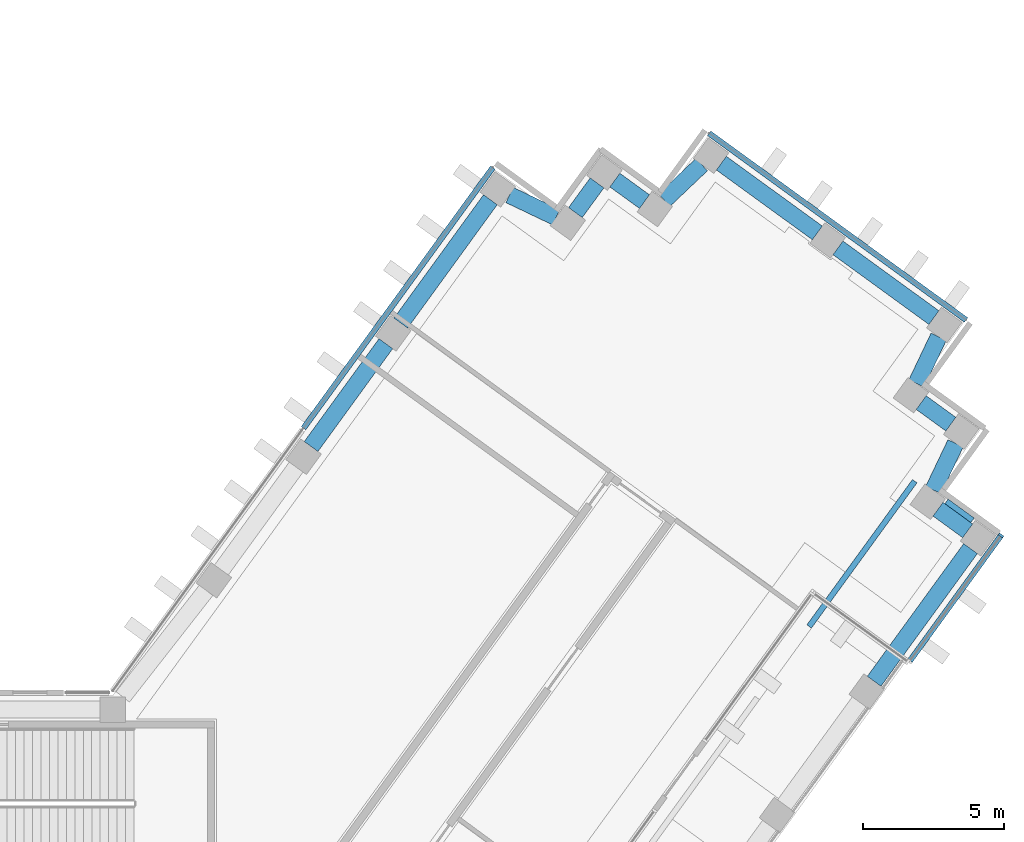
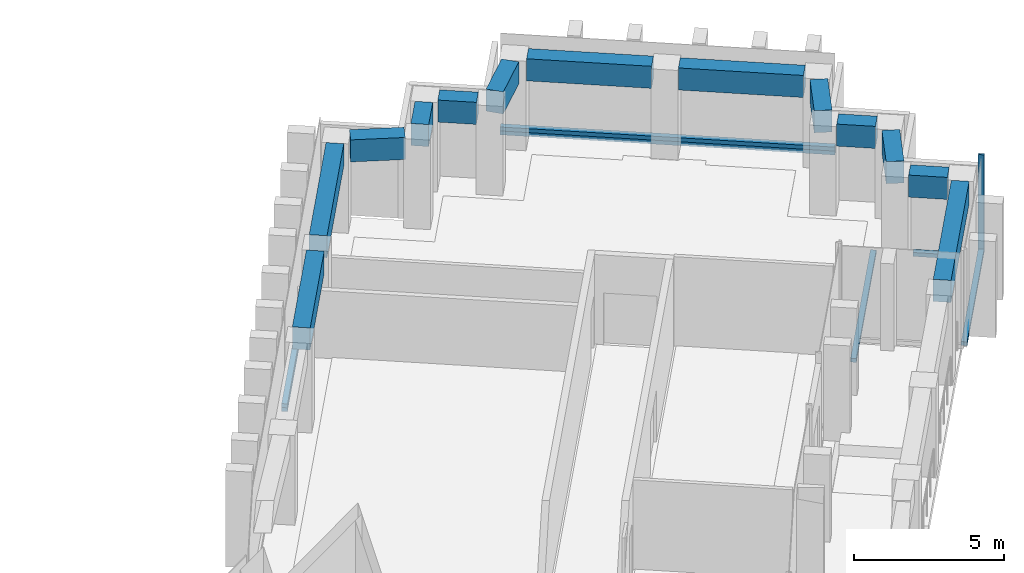
"""IFC4 building model written with IfcOpenShell, lengths in metres."""

from ifc_helpers import new_model, si_unit, direction, frame, origin, origin_2d, place, context, subcontext, project, spatial, rectangle, extrude, material, material_profile, profile_set, type_object, element, aggregate, save


model = new_model("IFC4")

# Units and contexts
model_context = context("Model", 3, precision=1e-05, world=origin(), true_north=direction((0.0, 1.0)))
body_context = subcontext(model_context, "Body", "Model", "MODEL_VIEW")
ifc_project = project(units=[si_unit("LENGTHUNIT", "METRE"), si_unit("AREAUNIT", "SQUARE_METRE"), si_unit("VOLUMEUNIT", "CUBIC_METRE"), si_unit("PLANEANGLEUNIT", "RADIAN"), si_unit("MASSUNIT", "GRAM", prefix="KILO")], contexts=[model_context])

# Site, building, storey
site_placement = place(None, origin())
site = spatial("IfcSite", under=ifc_project, at=site_placement, CompositionType="ELEMENT")
building_placement = place(site_placement, origin())
building = spatial("IfcBuilding", under=site, at=building_placement, Name="Quipu Civic Tower", CompositionType="ELEMENT")
storey_1_placement = place(building_placement, frame((0.0, 0.0, 97.0)))
storey_1 = spatial("IfcBuildingStorey", under=building, at=storey_1_placement, Name="L22", CompositionType="ELEMENT", Elevation=97.0)

# Curtain wall, member
ifc_material_1 = material(Name="Insulated glass unit", Category="glass")
curtain_wall_type = type_object("IfcCurtainWallType", Name="Office curtain wall CW1", PredefinedType="NOTDEFINED", material=ifc_material_1)
curtain_wall_1_placement = place(storey_1_placement, origin())
curtain_wall_1 = element("IfcCurtainWall", 1, at=curtain_wall_1_placement, inside=storey_1, type_object=curtain_wall_type, Name="Office curtain wall CW1 L22 run 7", PredefinedType="NOTDEFINED")
ifc_material_2 = material(Name="Anodised aluminium", Category="aluminium")
ifc_material_profile_1 = material_profile(ifc_material_2, rectangle(XDim=0.199951171875, YDim=0.080078125, at=origin_2d()), Name="RECT 200x80")
ifc_profile_set_1 = profile_set([ifc_material_profile_1], Name="Anodised aluminium")
member_type_1 = type_object("IfcMemberType", Name="Mullion CW1", PredefinedType="MULLION", material=ifc_profile_set_1)
member_1_placement = place(storey_1_placement, frame((45.825927734375, 16.661865234375, 0.080078125), z_axis=(0.0, 0.0, 1.0), x_axis=(-0.809010903145, 0.587793636059, 0.0)))
member_1 = element("IfcMember", 2, at=member_1_placement, type_object=member_type_1, Name="CW1 mullion 2", PredefinedType="MULLION", context=body_context, shape_type="SweptSolid", body=[
    extrude(rectangle(XDim=0.199951171875, YDim=0.080078125, at=origin_2d()), origin(), (0.0, 0.0, 1.0), 4.0),
])

# Beams
ifc_material_3 = material(Name="Concrete C50/60", Category="concrete")
ifc_material_profile_2 = material_profile(ifc_material_3, rectangle(XDim=0.60009765625, YDim=0.89990234375, at=origin_2d()), Name="RC600x900")
ifc_profile_set_2 = profile_set([ifc_material_profile_2], Name="Concrete C50/60")
beam_type = type_object("IfcBeamType", Name="Spandrel beam RC 600x900 C50/60", PredefinedType="SPANDREL", material=ifc_profile_set_2)
beam_1_placement = place(storey_1_placement, frame((41.3349609375, 11.50146484375, 3.199951171875), z_axis=(0.587766353983, 0.809030724463, 0.0), x_axis=(-0.809030724463, 0.587766353983, 0.0)))
element("IfcBeam", 3, at=beam_1_placement, inside=storey_1, type_object=beam_type, Name="Spandrel beam L22 E-OUT-04 to T-Eo.0-E34", PredefinedType="SPANDREL", context=body_context, shape_type="SweptSolid", body=[
    extrude(rectangle(XDim=0.60009765625, YDim=0.89990234375, at=origin_2d()), origin(), (0.0, 0.0, 1.0), 5.802734375),
])
beam_2_placement = place(storey_1_placement, frame((44.646240234375, 16.82470703125, 3.199951171875), z_axis=(-0.808524921146, 0.588461937499, 0.0), x_axis=(-0.588461937499, -0.808524921146, 0.0)))
element("IfcBeam", 4, at=beam_2_placement, inside=storey_1, type_object=beam_type, Name="Spandrel beam L22 T-Eo.0-E34 to T-Eo.1-E34", PredefinedType="SPANDREL", context=body_context, shape_type="SweptSolid", body=[
    extrude(rectangle(XDim=0.60009765625, YDim=0.89990234375, at=origin_2d()), origin(), (0.0, 0.0, 1.0), 1.30029296875),
])
beam_3_placement = place(storey_1_placement, frame((43.42822265625, 18.267578125, 3.199951171875), z_axis=(0.430677818234, 0.902505743406, 0.0), x_axis=(-0.902505743406, 0.430677818234, 0.0)))
element("IfcBeam", 5, at=beam_3_placement, inside=storey_1, type_object=beam_type, Name="Spandrel beam L22 T-Eo.1-E34 to T-Eo.2-E34", PredefinedType="SPANDREL", context=body_context, shape_type="SweptSolid", body=[
    extrude(rectangle(XDim=0.60009765625, YDim=0.89990234375, at=origin_2d()), origin(), (0.0, 0.0, 1.0), 1.833251953125),
])
beam_4_placement = place(storey_1_placement, frame((44.05078125, 20.59912109375, 3.199951171875), z_axis=(-0.809393823939, 0.587266240959, 0.0), x_axis=(-0.587266240959, -0.809393823939, 0.0)))
element("IfcBeam", 6, at=beam_4_placement, inside=storey_1, type_object=beam_type, Name="Spandrel beam L22 T-Eo.2-E34 to T-Eo.3-E34", PredefinedType="SPANDREL", context=body_context, shape_type="SweptSolid", body=[
    extrude(rectangle(XDim=0.60009765625, YDim=0.89990234375, at=origin_2d()), origin(), (0.0, 0.0, 1.0), 1.299072265625),
])
beam_5_placement = place(storey_1_placement, frame((42.83154296875, 22.03955078125, 3.199951171875), z_axis=(0.429892146977, 0.902880247856, 0.0), x_axis=(-0.902880247856, 0.429892146977, 0.0)))
element("IfcBeam", 7, at=beam_5_placement, inside=storey_1, type_object=beam_type, Name="Spandrel beam L22 T-Eo.3-E34 to T-Eo.4-E34", PredefinedType="SPANDREL", context=body_context, shape_type="SweptSolid", body=[
    extrude(rectangle(XDim=0.60009765625, YDim=0.89990234375, at=origin_2d()), origin(), (0.0, 0.0, 1.0), 1.829833984375),
])
beam_6_placement = place(storey_1_placement, frame((43.450927734375, 24.36962890625, 3.199951171875), z_axis=(-0.808987489375, 0.587825860298, 0.0), x_axis=(-0.587825860298, -0.808987489375, 0.0)))
element("IfcBeam", 8, at=beam_6_placement, inside=storey_1, type_object=beam_type, Name="Spandrel beam L22 T-Eo.4-E34 to TIP-E-01-E34", PredefinedType="SPANDREL", context=body_context, shape_type="SweptSolid", body=[
    extrude(rectangle(XDim=0.60009765625, YDim=0.89990234375, at=origin_2d()), origin(), (0.0, 0.0, 1.0), 4.1982421875),
])
beam_7_placement = place(storey_1_placement, frame((39.32666015625, 27.366455078125, 3.199951171875), z_axis=(-0.808969789945, 0.58785021813, 0.0), x_axis=(-0.58785021813, -0.808969789945, 0.0)))
element("IfcBeam", 9, at=beam_7_placement, inside=storey_1, type_object=beam_type, Name="Spandrel beam L22 TIP-E-01-E34 to T-Ei.0-E34", PredefinedType="SPANDREL", context=body_context, shape_type="SweptSolid", body=[
    extrude(rectangle(XDim=0.60009765625, YDim=0.89990234375, at=origin_2d()), origin(), (0.0, 0.0, 1.0), 4.199951171875),
])
beam_8_placement = place(storey_1_placement, frame((35.233154296875, 29.784912109375, 3.199951171875), z_axis=(-0.725209203815, -0.688528583795, 0.0), x_axis=(0.688528583795, -0.725209203815, 0.0)))
element("IfcBeam", 10, at=beam_8_placement, inside=storey_1, type_object=beam_type, Name="Spandrel beam L22 T-Ei.0-E34 to T-Ei.1-E34", PredefinedType="SPANDREL", context=body_context, shape_type="SweptSolid", body=[
    extrude(rectangle(XDim=0.60009765625, YDim=0.89990234375, at=origin_2d()), origin(), (0.0, 0.0, 1.0), 1.830322265625),
])
beam_9_placement = place(storey_1_placement, frame((33.209716796875, 28.4736328125, 3.199951171875), z_axis=(-0.809402563526, 0.587254195521, 0.0), x_axis=(-0.587254195521, -0.809402563526, 0.0)))
element("IfcBeam", 11, at=beam_9_placement, inside=storey_1, type_object=beam_type, Name="Spandrel beam L22 T-Ei.1-E34 to T-Ei.2-E34", PredefinedType="SPANDREL", context=body_context, shape_type="SweptSolid", body=[
    extrude(rectangle(XDim=0.60009765625, YDim=0.89990234375, at=origin_2d()), origin(), (0.0, 0.0, 1.0), 1.2978515625),
])
beam_10_placement = place(storey_1_placement, frame((31.52978515625, 29.136474609375, 3.199951171875), z_axis=(-0.589187485143, -0.80799635355, 0.0), x_axis=(0.80799635355, -0.589187485143, 0.0)))
element("IfcBeam", 12, at=beam_10_placement, inside=storey_1, type_object=beam_type, Name="Spandrel beam L22 T-Ei.2-E34 to T-Ei.3-E34", PredefinedType="SPANDREL", context=body_context, shape_type="SweptSolid", body=[
    extrude(rectangle(XDim=0.60009765625, YDim=0.89990234375, at=origin_2d()), origin(), (0.0, 0.0, 1.0), 1.2998046875),
])
beam_11_placement = place(storey_1_placement, frame((30.085693359375, 27.919677734375, 3.199951171875), z_axis=(-0.902567013751, 0.430549399823, 0.0), x_axis=(-0.430549399823, -0.902567013751, 0.0)))
element("IfcBeam", 13, at=beam_11_placement, inside=storey_1, type_object=beam_type, Name="Spandrel beam L22 T-Ei.3-E34 to T-Ei.4-E34", PredefinedType="SPANDREL", context=body_context, shape_type="SweptSolid", body=[
    extrude(rectangle(XDim=0.60009765625, YDim=0.89990234375, at=origin_2d()), origin(), (0.0, 0.0, 1.0), 1.8310546875),
])
beam_12_placement = place(storey_1_placement, frame((27.755615234375, 28.541015625, 3.199951171875), z_axis=(-0.58767640123, -0.809096068114, 0.0), x_axis=(0.809096068114, -0.58767640123, 0.0)))
element("IfcBeam", 14, at=beam_12_placement, inside=storey_1, type_object=beam_type, Name="Spandrel beam L22 T-Ei.4-E34 to E-IN-03", PredefinedType="SPANDREL", context=body_context, shape_type="SweptSolid", body=[
    extrude(rectangle(XDim=0.60009765625, YDim=0.89990234375, at=origin_2d()), origin(), (0.0, 0.0, 1.0), 5.39404296875),
])
beam_13_placement = place(storey_1_placement, frame((24.056884765625, 23.448486328125, 3.199951171875), z_axis=(-0.587778073121, -0.809022210299, 0.0), x_axis=(0.809022210299, -0.587778073121, 0.0)))
element("IfcBeam", 15, at=beam_13_placement, inside=storey_1, type_object=beam_type, Name="Spandrel beam L22 E-IN-03 to E-IN-02", PredefinedType="SPANDREL", context=body_context, shape_type="SweptSolid", body=[
    extrude(rectangle(XDim=0.60009765625, YDim=0.89990234375, at=origin_2d()), origin(), (0.0, 0.0, 1.0), 4.5),
])

# Storey
storey_2_placement = place(building_placement, frame((0.0, 0.0, 89.0)))
storey_2 = spatial("IfcBuildingStorey", under=building, at=storey_2_placement, Name="L20", CompositionType="ELEMENT", Elevation=89.0)

# Curtain wall, member
curtain_wall_2_placement = place(storey_2_placement, origin())
curtain_wall_2 = element("IfcCurtainWall", 16, at=curtain_wall_2_placement, inside=storey_2, type_object=curtain_wall_type, Name="Office curtain wall CW1 L19 run 6", PredefinedType="NOTDEFINED")
ifc_material_4 = material(Name="Anodised aluminium", Category="aluminium")
ifc_material_profile_3 = material_profile(ifc_material_4, rectangle(XDim=0.199951171875, YDim=0.159912109375, at=origin_2d()), Name="RECT 200x160")
ifc_profile_set_3 = profile_set([ifc_material_profile_3], Name="Anodised aluminium")
member_type_2 = type_object("IfcMemberType", Name="Transom CW1", PredefinedType="USERDEFINED", material=ifc_profile_set_3)
member_2_placement = place(storey_1_placement, frame((44.590087890625, 24.2841796875, 0.0), z_axis=(-0.809014959561, 0.587788052963, 0.0), x_axis=(-0.587788052963, -0.809014959561, 0.0)))
member_2 = element("IfcMember", 17, at=member_2_placement, inside=storey_1, type_object=member_type_2, Name="CW1 transom 1.4", ObjectType="TRANSOM", PredefinedType="USERDEFINED", context=body_context, shape_type="SweptSolid", body=[
    extrude(rectangle(XDim=0.199951171875, YDim=0.159912109375, at=origin_2d()), origin(), (0.0, 0.0, 1.0), 11.239990234375),
])
aggregate(curtain_wall_2, [member_2])

curtain_wall_3_placement = place(storey_2_placement, origin())
curtain_wall_3 = element("IfcCurtainWall", 18, at=curtain_wall_3_placement, inside=storey_2, type_object=curtain_wall_type, Name="Office curtain wall CW1 L19 run 11", PredefinedType="NOTDEFINED")
member_3_placement = place(storey_1_placement, frame((27.84228515625, 29.678466796875, 0.0), z_axis=(-0.587775682251, -0.809023947331, 0.0), x_axis=(0.809023947331, -0.587775682251, 0.0)))
member_3 = element("IfcMember", 19, at=member_3_placement, inside=storey_1, type_object=member_type_2, Name="CW1 transom 1.4", ObjectType="TRANSOM", PredefinedType="USERDEFINED", context=body_context, shape_type="SweptSolid", body=[
    extrude(rectangle(XDim=0.199951171875, YDim=0.159912109375, at=origin_2d()), origin(), (0.0, 0.0, 1.0), 11.402099609375),
])
aggregate(curtain_wall_3, [member_3])

# Storey
storey_3_placement = place(building_placement, frame((0.0, 0.0, 93.0)))
storey_3 = spatial("IfcBuildingStorey", under=building, at=storey_3_placement, Name="L21", CompositionType="ELEMENT", Elevation=93.0)

# Curtain wall, member
curtain_wall_4_placement = place(storey_3_placement, origin())
curtain_wall_4 = element("IfcCurtainWall", 20, at=curtain_wall_4_placement, inside=storey_3, type_object=curtain_wall_type, Name="Office curtain wall CW1 L21 run 5", PredefinedType="NOTDEFINED")
member_4_placement = place(storey_1_placement, frame((39.034912109375, 13.439453125, 0.0), z_axis=(0.587767557609, 0.809029850019, 0.0), x_axis=(-0.809029850019, 0.587767557609, 0.0)))
member_4 = element("IfcMember", 21, at=member_4_placement, inside=storey_1, type_object=member_type_2, Name="CW1 transom 1.2", ObjectType="TRANSOM", PredefinedType="USERDEFINED", context=body_context, shape_type="SweptSolid", body=[
    extrude(rectangle(XDim=0.199951171875, YDim=0.159912109375, at=origin_2d()), origin(), (0.0, 0.0, 1.0), 6.35888671875),
])
aggregate(curtain_wall_4, [member_4])

curtain_wall_5_placement = place(storey_3_placement, origin())
curtain_wall_5 = element("IfcCurtainWall", 22, at=curtain_wall_5_placement, inside=storey_3, type_object=curtain_wall_type, Name="Office curtain wall CW1 L21 run 7", PredefinedType="NOTDEFINED")
member_5_placement = place(storey_1_placement, frame((43.89501953125, 17.8671875, 0.0), z_axis=(0.808976702535, -0.587840705256, 0.0), x_axis=(0.587840705256, 0.808976702535, 0.0)))
member_5 = element("IfcMember", 23, at=member_5_placement, inside=storey_1, type_object=member_type_2, Name="CW1 transom 1.2", ObjectType="TRANSOM", PredefinedType="USERDEFINED", context=body_context, shape_type="SweptSolid", body=[
    extrude(rectangle(XDim=0.199951171875, YDim=0.159912109375, at=origin_2d()), origin(), (0.0, 0.0, 1.0), 1.140380859375),
])
aggregate(curtain_wall_5, [member_5])

# Member
member_6_placement = place(storey_1_placement, frame((42.60498046875, 12.228515625, 0.159912109375), z_axis=(0.587774027131, 0.809025149813, 0.0), x_axis=(-0.809025149813, 0.587774027131, 0.0)))
member_6 = element("IfcMember", 24, at=member_6_placement, type_object=member_type_2, Name="CW1 transom 1.1", ObjectType="TRANSOM", PredefinedType="USERDEFINED", context=body_context, shape_type="SweptSolid", body=[
    extrude(rectangle(XDim=0.199951171875, YDim=0.159912109375, at=origin_2d()), origin(), (0.0, 0.0, 1.0), 5.43994140625),
])

aggregate(curtain_wall_1, [member_1, member_6])

# Storey
storey_4_placement = place(building_placement, frame((0.0, 0.0, 101.0)))
storey_4 = spatial("IfcBuildingStorey", under=building, at=storey_4_placement, Name="L23", CompositionType="ELEMENT", Elevation=101.0)

# Curtain wall, member
curtain_wall_6_placement = place(storey_4_placement, origin())
curtain_wall_6 = element("IfcCurtainWall", 25, at=curtain_wall_6_placement, inside=storey_4, type_object=curtain_wall_type, Name="Office curtain wall CW1 L22 run 31", PredefinedType="NOTDEFINED")
member_7_placement = place(storey_1_placement, frame((44.590087890625, 24.2841796875, 0.159912109375), z_axis=(-0.809014959561, 0.587788052963, 0.0), x_axis=(-0.587788052963, -0.809014959561, 0.0)))
member_7 = element("IfcMember", 26, at=member_7_placement, inside=storey_1, type_object=member_type_2, Name="CW1 transom 1.1", ObjectType="TRANSOM", PredefinedType="USERDEFINED", context=body_context, shape_type="SweptSolid", body=[
    extrude(rectangle(XDim=0.199951171875, YDim=0.159912109375, at=origin_2d()), origin(), (0.0, 0.0, 1.0), 11.239990234375),
])
aggregate(curtain_wall_6, [member_7])

curtain_wall_7_placement = place(storey_4_placement, origin())
curtain_wall_7 = element("IfcCurtainWall", 27, at=curtain_wall_7_placement, inside=storey_4, type_object=curtain_wall_type, Name="Office curtain wall CW1 L22 run 36", PredefinedType="NOTDEFINED")
member_8_placement = place(storey_1_placement, frame((27.84228515625, 29.678466796875, 0.159912109375), z_axis=(-0.587775682251, -0.809023947331, 0.0), x_axis=(0.809023947331, -0.587775682251, 0.0)))
member_8 = element("IfcMember", 28, at=member_8_placement, inside=storey_1, type_object=member_type_2, Name="CW1 transom 1.1", ObjectType="TRANSOM", PredefinedType="USERDEFINED", context=body_context, shape_type="SweptSolid", body=[
    extrude(rectangle(XDim=0.199951171875, YDim=0.159912109375, at=origin_2d()), origin(), (0.0, 0.0, 1.0), 11.402099609375),
])
aggregate(curtain_wall_7, [member_8])

save(model, "model.ifc")
